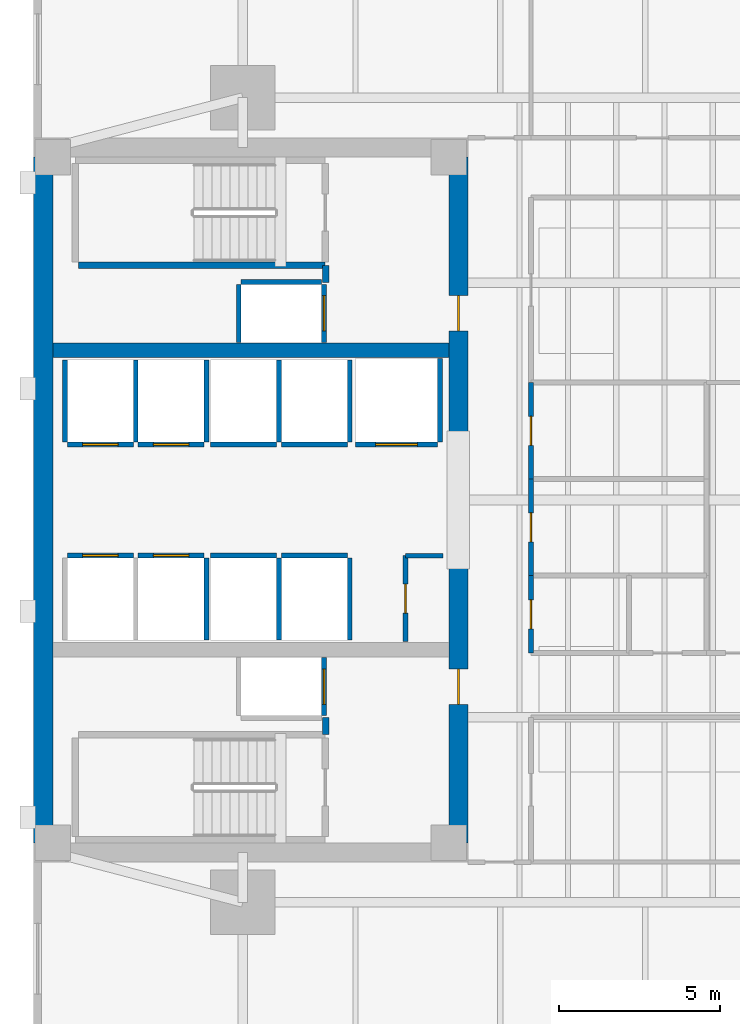
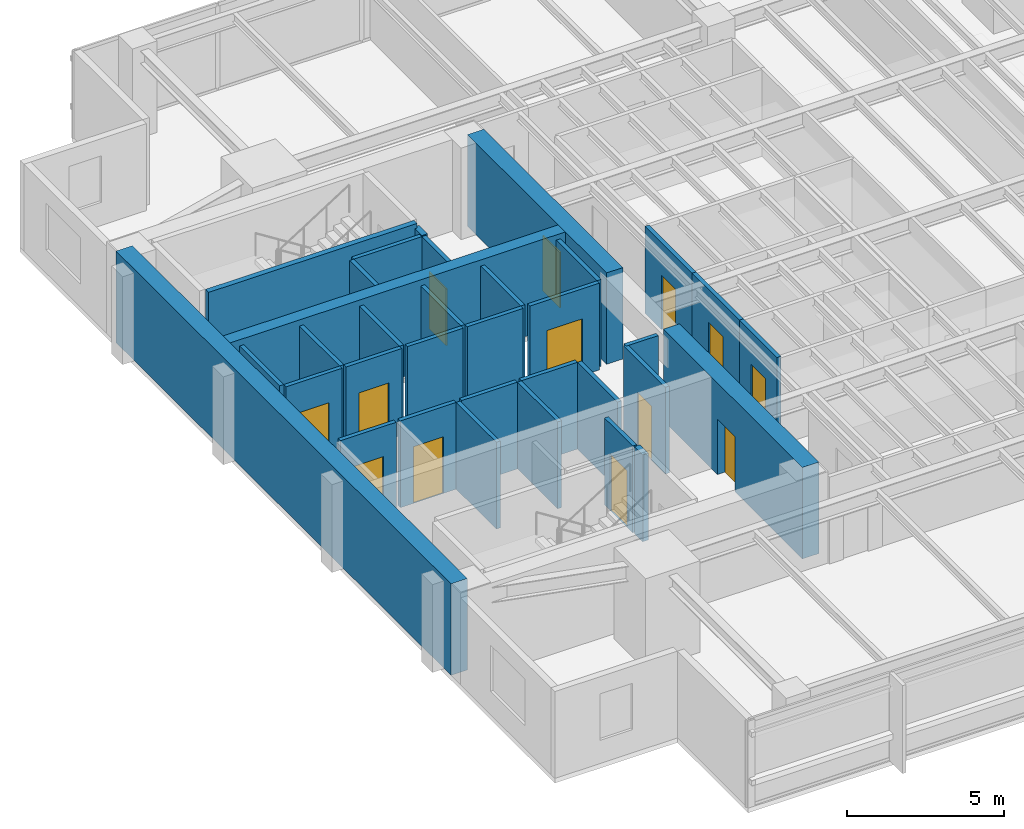
# One storey, part 8 of 14: 34 walls, 13 doors, 13 openings.
"""IFC4 building model written with IfcOpenShell, lengths in metres."""

from ifc_helpers import new_model, si_unit, direction, frame, frame_2d, origin, place, context, subcontext, project, spatial, rectangle, extrude, material, layer, layer_set, type_object, element, fill, save


model = new_model("IFC4")

# Units and contexts
model_context = context("Model", 3, precision=1e-05, world=origin(), true_north=direction((0.0, 1.0)))
body_context = subcontext(model_context, "Body", "Model", "MODEL_VIEW")
ifc_project = project(units=[si_unit("LENGTHUNIT", "METRE"), si_unit("AREAUNIT", "SQUARE_METRE"), si_unit("VOLUMEUNIT", "CUBIC_METRE"), si_unit("PLANEANGLEUNIT", "RADIAN"), si_unit("MASSUNIT", "GRAM", prefix="KILO")], contexts=[model_context])

# Site, building, storey
site_placement = place(None, origin())
site = spatial("IfcSite", under=ifc_project, at=site_placement, CompositionType="ELEMENT")
building_placement = place(site_placement, origin())
building = spatial("IfcBuilding", under=site, at=building_placement, Name="Kinhvarn Gate Tower", CompositionType="ELEMENT")
storey_placement = place(building_placement, frame((0.0, 0.0, 141.300048828125)))
storey = spatial("IfcBuildingStorey", under=building, at=storey_placement, Name="L37", CompositionType="ELEMENT", Elevation=141.300048828125)

# Wall
ifc_material_1 = material(Name="Concrete C50/60", Category="concrete")
ifc_layer_1 = layer(ifc_material_1, 0.449951171875)
ifc_layer_set_1 = layer_set([ifc_layer_1], Name="Concrete C50/60")
wall_type_1 = type_object("IfcWallType", Name="WL-CORE-450", PredefinedType="SHEAR", material=ifc_layer_set_1)
wall_1_placement = place(storey_placement, frame((5.10009765625, 29.89990234375, 0.0), z_axis=(0.0, 0.0, 1.0), x_axis=(1.0, 0.0, 0.0)))
element("IfcWall", 1, at=wall_1_placement, inside=storey, type_object=wall_type_1, Name="Core North Spine Shear Wall L37 450 mm", PredefinedType="SHEAR", context=body_context, shape_type="SweptSolid", body=[
    extrude(rectangle(XDim=12.2998046875, YDim=0.449951171875, at=frame_2d((6.14990234375, 0.0))), origin(), (0.0, 0.0, 1.0), 3.550048828125),
])

# Wall, opening, door
ifc_material_2 = material(Name="Concrete C60/75", Category="concrete")
ifc_layer_2 = layer(ifc_material_2, 0.60009765625)
ifc_layer_set_2 = layer_set([ifc_layer_2], Name="Concrete C60/75")
wall_type_2 = type_object("IfcWallType", Name="WL-CORE-600", PredefinedType="SHEAR", material=ifc_layer_set_2)
wall_2_placement = place(storey_placement, frame((17.699951171875, 14.60009765625, 0.0), z_axis=(0.0, 0.0, 1.0), x_axis=(0.0, 1.0, 0.0)))
wall_2 = element("IfcWall", 2, at=wall_2_placement, inside=storey, type_object=wall_type_2, Name="Core East-South Shear Pier L37 600 mm", PredefinedType="SHEAR", context=body_context, shape_type="SweptSolid", body=[
    extrude(rectangle(XDim=8.849853515625, YDim=0.60009765625, at=frame_2d((4.4248046875, 0.0))), origin(), (0.0, 0.0, 1.0), 3.550048828125),
])
opening_1_placement = place(wall_2_placement, frame((4.300048828125, 0.0, 0.0)))
opening_1 = element("IfcOpeningElement", 3, at=opening_1_placement, cuts=wall_2, Name="Opening FD-02", PredefinedType="OPENING", context=body_context, shape_type="SweptSolid", body=[
    extrude(rectangle(XDim=1.10009765625, YDim=2.14990234375, at=frame_2d((0.550048828125, 1.074951171875))), frame((0.0, 0.31005859375, 0.0), z_axis=(0.0, -1.0, 0.0), x_axis=(1.0, 0.0, 0.0)), (0.0, 0.0, 1.0), 0.6201171875),
])
ifc_material_3 = material(Name="Anodised aluminium AW-6063", Category="aluminium")
door_type_1 = type_object("IfcDoorType", Name="DR-FD-1100", OperationType="NOTDEFINED", PredefinedType="DOOR", material=ifc_material_3)
door_1_placement = place(opening_1_placement, origin())
door_1 = element("IfcDoor", 4, at=door_1_placement, inside=storey, type_object=door_type_1, Name="Firefighting Lobby Core Door (L37)", OperationType="SINGLE_SWING_RIGHT", OverallHeight=2.14990234375, OverallWidth=1.10009765625, PredefinedType="DOOR", context=body_context, shape_type="SweptSolid", body=[
    extrude(rectangle(XDim=1.10009765625, YDim=2.14990234375, at=frame_2d((0.550048828125, 1.074951171875))), frame((0.0, 0.02490234375, 0.0), z_axis=(0.0, -1.0, 0.0), x_axis=(1.0, 0.0, 0.0)), (0.0, 0.0, 1.0), 0.050048828125),
])
fill(opening_1, door_1)

wall_3_placement = place(storey_placement, frame((17.699951171875, 27.050048828125, 0.0), z_axis=(0.0, 0.0, 1.0), x_axis=(0.0, 1.0, 0.0)))
wall_3 = element("IfcWall", 5, at=wall_3_placement, inside=storey, type_object=wall_type_2, Name="Core East-North Shear Pier L37 600 mm", PredefinedType="SHEAR", context=body_context, shape_type="SweptSolid", body=[
    extrude(rectangle(XDim=8.849853515625, YDim=0.60009765625, at=frame_2d((4.4248046875, 0.0))), origin(), (0.0, 0.0, 1.0), 3.550048828125),
])
opening_2_placement = place(wall_3_placement, frame((3.449951171875, 0.0, 0.0)))
opening_2 = element("IfcOpeningElement", 6, at=opening_2_placement, cuts=wall_3, Name="Opening FD-02", PredefinedType="OPENING", context=body_context, shape_type="SweptSolid", body=[
    extrude(rectangle(XDim=1.10009765625, YDim=2.14990234375, at=frame_2d((0.550048828125, 1.074951171875))), frame((0.0, 0.31005859375, 0.0), z_axis=(0.0, -1.0, 0.0), x_axis=(1.0, 0.0, 0.0)), (0.0, 0.0, 1.0), 0.6201171875),
])
door_2_placement = place(opening_2_placement, origin())
door_2 = element("IfcDoor", 7, at=door_2_placement, inside=storey, type_object=door_type_1, Name="Firefighting Lobby Core Door (L37)", OperationType="SINGLE_SWING_LEFT", OverallHeight=2.14990234375, OverallWidth=1.10009765625, PredefinedType="DOOR", context=body_context, shape_type="SweptSolid", body=[
    extrude(rectangle(XDim=1.10009765625, YDim=2.14990234375, at=frame_2d((0.550048828125, 1.074951171875))), frame((0.0, 0.02490234375, 0.0), z_axis=(0.0, -1.0, 0.0), x_axis=(1.0, 0.0, 0.0)), (0.0, 0.0, 1.0), 0.050048828125),
])
fill(opening_2, door_2)

# Wall
ifc_layer_3 = layer(ifc_material_2, 0.60009765625)
ifc_layer_set_3 = layer_set([ifc_layer_3], Name="Concrete C60/75")
wall_type_3 = type_object("IfcWallType", Name="WL-COREX-600", PredefinedType="SHEAR", material=ifc_layer_set_3)
wall_4_placement = place(storey_placement, frame((4.800048828125, 14.60009765625, 0.0), z_axis=(0.0, 0.0, 1.0), x_axis=(0.0, 1.0, 0.0)))
element("IfcWall", 8, at=wall_4_placement, inside=storey, type_object=wall_type_3, Name="Core West Shear Wall L37 600 mm", PredefinedType="SHEAR", context=body_context, shape_type="SweptSolid", body=[
    extrude(rectangle(XDim=21.2998046875, YDim=0.60009765625, at=frame_2d((10.64990234375, 0.0))), origin(), (0.0, 0.0, 1.0), 3.550048828125),
])

# Wall, opening, door
ifc_material_4 = material(Name="Gypsum acoustic partition board")
ifc_layer_4 = layer(ifc_material_4, 0.14990234375)
ifc_layer_set_4 = layer_set([ifc_layer_4], Name="Gypsum acoustic partition board")
wall_type_4 = type_object("IfcWallType", Name="WL-PLM-150F", PredefinedType="PLUMBINGWALL", material=ifc_layer_set_4)
wall_5_placement = place(storey_placement, frame((19.949951171875, 20.5, 0.0), z_axis=(0.0, 0.0, 1.0), x_axis=(0.0, 1.0, 0.0)))
wall_5 = element("IfcWall", 9, at=wall_5_placement, inside=storey, type_object=wall_type_4, Name="Interior Partition PLW-150F (L37)", PredefinedType="PLUMBINGWALL", context=body_context, shape_type="SweptSolid", body=[
    extrude(rectangle(XDim=2.39990234375, YDim=0.14990234375, at=frame_2d((1.199951171875, 0.0))), origin(), (0.0, 0.0, 1.0), 3.369873046875),
])
opening_3_placement = place(wall_5_placement, frame((0.75, 0.0, 0.0)))
opening_3 = element("IfcOpeningElement", 10, at=opening_3_placement, cuts=wall_5, Name="Opening FD-04", PredefinedType="OPENING", context=body_context, shape_type="SweptSolid", body=[
    extrude(rectangle(XDim=0.89990234375, YDim=2.10009765625, at=frame_2d((0.449951171875, 1.050048828125))), frame((0.0, 0.0849609375, 0.0), z_axis=(0.0, -1.0, 0.0), x_axis=(1.0, 0.0, 0.0)), (0.0, 0.0, 1.0), 0.169921875),
])
door_type_2 = type_object("IfcDoorType", Name="DR-FD-900", OperationType="NOTDEFINED", PredefinedType="DOOR", material=ifc_material_3)
door_3_placement = place(opening_3_placement, origin())
door_3 = element("IfcDoor", 11, at=door_3_placement, inside=storey, type_object=door_type_2, Name="Rated Riser & Service Closet Fire Door 900x2100 mm (L37)", OperationType="SINGLE_SWING_RIGHT", OverallHeight=2.10009765625, OverallWidth=0.89990234375, PredefinedType="DOOR", context=body_context, shape_type="SweptSolid", body=[
    extrude(rectangle(XDim=0.89990234375, YDim=2.10009765625, at=frame_2d((0.449951171875, 1.050048828125))), frame((0.0, 0.02490234375, 0.0), z_axis=(0.0, -1.0, 0.0), x_axis=(1.0, 0.0, 0.0)), (0.0, 0.0, 1.0), 0.050048828125),
])
fill(opening_3, door_3)

wall_6_placement = place(storey_placement, frame((19.949951171875, 22.89990234375, 0.0), z_axis=(0.0, 0.0, 1.0), x_axis=(0.0, 1.0, 0.0)))
wall_6 = element("IfcWall", 12, at=wall_6_placement, inside=storey, type_object=wall_type_4, Name="Interior Partition PLW-150F (L37)", PredefinedType="PLUMBINGWALL", context=body_context, shape_type="SweptSolid", body=[
    extrude(rectangle(XDim=3.0, YDim=0.14990234375, at=frame_2d((1.5, 0.0))), origin(), (0.0, 0.0, 1.0), 3.369873046875),
])
opening_4_placement = place(wall_6_placement, frame((1.050048828125, 0.0, 0.0)))
opening_4 = element("IfcOpeningElement", 13, at=opening_4_placement, cuts=wall_6, Name="Opening FD-04", PredefinedType="OPENING", context=body_context, shape_type="SweptSolid", body=[
    extrude(rectangle(XDim=0.89990234375, YDim=2.10009765625, at=frame_2d((0.449951171875, 1.050048828125))), frame((0.0, 0.0849609375, 0.0), z_axis=(0.0, -1.0, 0.0), x_axis=(1.0, 0.0, 0.0)), (0.0, 0.0, 1.0), 0.169921875),
])
door_4_placement = place(opening_4_placement, origin())
door_4 = element("IfcDoor", 14, at=door_4_placement, inside=storey, type_object=door_type_2, Name="Rated Riser & Service Closet Fire Door 900x2100 mm (L37)", OperationType="SINGLE_SWING_LEFT", OverallHeight=2.10009765625, OverallWidth=0.89990234375, PredefinedType="DOOR", context=body_context, shape_type="SweptSolid", body=[
    extrude(rectangle(XDim=0.89990234375, YDim=2.10009765625, at=frame_2d((0.449951171875, 1.050048828125))), frame((0.0, 0.02490234375, 0.0), z_axis=(0.0, -1.0, 0.0), x_axis=(1.0, 0.0, 0.0)), (0.0, 0.0, 1.0), 0.050048828125),
])
fill(opening_4, door_4)

wall_7_placement = place(storey_placement, frame((19.949951171875, 25.89990234375, 0.0), z_axis=(0.0, 0.0, 1.0), x_axis=(0.0, 1.0, 0.0)))
wall_7 = element("IfcWall", 15, at=wall_7_placement, inside=storey, type_object=wall_type_4, Name="Interior Partition PLW-150F (L37)", PredefinedType="PLUMBINGWALL", context=body_context, shape_type="SweptSolid", body=[
    extrude(rectangle(XDim=3.0, YDim=0.14990234375, at=frame_2d((1.5, 0.0))), origin(), (0.0, 0.0, 1.0), 3.369873046875),
])
opening_5_placement = place(wall_7_placement, frame((1.050048828125, 0.0, 0.0)))
opening_5 = element("IfcOpeningElement", 16, at=opening_5_placement, cuts=wall_7, Name="Opening FD-04", PredefinedType="OPENING", context=body_context, shape_type="SweptSolid", body=[
    extrude(rectangle(XDim=0.89990234375, YDim=2.10009765625, at=frame_2d((0.449951171875, 1.050048828125))), frame((0.0, 0.0849609375, 0.0), z_axis=(0.0, -1.0, 0.0), x_axis=(1.0, 0.0, 0.0)), (0.0, 0.0, 1.0), 0.169921875),
])
door_5_placement = place(opening_5_placement, origin())
door_5 = element("IfcDoor", 17, at=door_5_placement, inside=storey, type_object=door_type_2, Name="Rated Riser & Service Closet Fire Door 900x2100 mm (L37)", OperationType="SINGLE_SWING_RIGHT", OverallHeight=2.10009765625, OverallWidth=0.89990234375, PredefinedType="DOOR", context=body_context, shape_type="SweptSolid", body=[
    extrude(rectangle(XDim=0.89990234375, YDim=2.10009765625, at=frame_2d((0.449951171875, 1.050048828125))), frame((0.0, 0.02490234375, 0.0), z_axis=(0.0, -1.0, 0.0), x_axis=(1.0, 0.0, 0.0)), (0.0, 0.0, 1.0), 0.050048828125),
])
fill(opening_5, door_5)

ifc_layer_5 = layer(ifc_material_4, 0.14990234375)
ifc_layer_set_5 = layer_set([ifc_layer_5], Name="Gypsum acoustic partition board")
wall_type_5 = type_object("IfcWallType", Name="WL-PRT-150F", PredefinedType="PARTITIONING", material=ifc_layer_set_5)
wall_8_placement = place(storey_placement, frame((16.050048828125, 20.85009765625, 0.0), z_axis=(0.0, 0.0, 1.0), x_axis=(0.0, 1.0, 0.0)))
wall_8 = element("IfcWall", 18, at=wall_8_placement, inside=storey, type_object=wall_type_5, Name="Interior Partition PW-150F (L37)", PredefinedType="PARTITIONING", context=body_context, shape_type="SweptSolid", body=[
    extrude(rectangle(XDim=2.669921875, YDim=0.14990234375, at=frame_2d((1.3349609375, 0.0))), origin(), (0.0, 0.0, 1.0), 3.369873046875),
])
opening_6_placement = place(wall_8_placement, frame((0.885009765625, 0.0, 0.0)))
opening_6 = element("IfcOpeningElement", 19, at=opening_6_placement, cuts=wall_8, Name="Opening FD-04", PredefinedType="OPENING", context=body_context, shape_type="SweptSolid", body=[
    extrude(rectangle(XDim=0.89990234375, YDim=2.10009765625, at=frame_2d((0.449951171875, 1.050048828125))), frame((0.0, 0.0849609375, 0.0), z_axis=(0.0, -1.0, 0.0), x_axis=(1.0, 0.0, 0.0)), (0.0, 0.0, 1.0), 0.169921875),
])
door_6_placement = place(opening_6_placement, origin())
door_6 = element("IfcDoor", 20, at=door_6_placement, inside=storey, type_object=door_type_2, Name="Rated Riser & Service Closet Fire Door 900x2100 mm (L37)", OperationType="SINGLE_SWING_LEFT", OverallHeight=2.10009765625, OverallWidth=0.89990234375, PredefinedType="DOOR", context=body_context, shape_type="SweptSolid", body=[
    extrude(rectangle(XDim=0.89990234375, YDim=2.10009765625, at=frame_2d((0.449951171875, 1.050048828125))), frame((0.0, 0.02490234375, 0.0), z_axis=(0.0, -1.0, 0.0), x_axis=(1.0, 0.0, 0.0)), (0.0, 0.0, 1.0), 0.050048828125),
])
fill(opening_6, door_6)

# Walls
wall_9_placement = place(storey_placement, frame((16.050048828125, 23.52001953125, 0.0), z_axis=(0.0, 0.0, 1.0), x_axis=(1.0, 0.0, 0.0)))
element("IfcWall", 21, at=wall_9_placement, inside=storey, type_object=wall_type_5, Name="Interior Partition PW-150F (L37)", PredefinedType="PARTITIONING", context=body_context, shape_type="SweptSolid", body=[
    extrude(rectangle(XDim=1.169921875, YDim=0.14990234375, at=frame_2d((0.5849609375, 0.0))), origin(), (0.0, 0.0, 1.0), 3.369873046875),
])
ifc_layer_6 = layer(ifc_material_4, 0.199951171875)
ifc_layer_set_6 = layer_set([ifc_layer_6], Name="Gypsum acoustic partition board")
wall_type_6 = type_object("IfcWallType", Name="WL-PRT-200", PredefinedType="PARTITIONING", material=ifc_layer_set_6)
for number, where, z_axis, x_axis, name in (
    (22, (13.580078125, 17.9599609375, 0.0), (0.0, 0.0, 1.0), (0.0, 1.0, 0.0), "Interior Partition PW-200 (L37)"),
    (23, (13.580078125, 32.0, 0.0), (0.0, 0.0, 1.0), (0.0, 1.0, 0.0), "Interior Partition PW-200 (L37)"),
):
    element("IfcWall", number, at=place(storey_placement, frame(where, z_axis=z_axis, x_axis=x_axis)), inside=storey, type_object=wall_type_6, Name=name, PredefinedType="PARTITIONING", context=body_context, shape_type="SweptSolid", body=[
        extrude(rectangle(XDim=0.5400390625, YDim=0.199951171875, at=frame_2d((0.27001953125, 0.0))), origin(), (0.0, 0.0, 1.0), 3.369873046875),
    ])

# Wall, opening, door
ifc_layer_7 = layer(ifc_material_4, 0.14990234375)
ifc_layer_set_7 = layer_set([ifc_layer_7], Name="Gypsum acoustic partition board")
wall_type_7 = type_object("IfcWallType", Name="WL-SHF-150", PredefinedType="PARTITIONING", material=ifc_layer_set_7)
wall_10_placement = place(storey_placement, frame((5.550048828125, 23.52490234375, 0.0), z_axis=(0.0, 0.0, 1.0), x_axis=(1.0, 0.0, 0.0)))
wall_10 = element("IfcWall", 24, at=wall_10_placement, inside=storey, type_object=wall_type_7, Name="Elevator PM-05 Landing Wall (L37)", PredefinedType="PARTITIONING", context=body_context, shape_type="SweptSolid", body=[
    extrude(rectangle(XDim=2.050048828125, YDim=0.14990234375, at=frame_2d((1.02490234375, 0.0))), origin(), (0.0, 0.0, 1.0), 3.369873046875),
])
opening_7_placement = place(wall_10_placement, frame((0.47509765625, 0.0, 0.0)))
opening_7 = element("IfcOpeningElement", 25, at=opening_7_placement, cuts=wall_10, Name="Opening LD-01", PredefinedType="OPENING", context=body_context, shape_type="SweptSolid", body=[
    extrude(rectangle(XDim=1.10009765625, YDim=2.199951171875, at=frame_2d((0.550048828125, 1.10009765625))), frame((0.0, 0.0849609375, 0.0), z_axis=(0.0, -1.0, 0.0), x_axis=(1.0, 0.0, 0.0)), (0.0, 0.0, 1.0), 0.169921875),
])
door_type_3 = type_object("IfcDoorType", Name="DR-LND-PAS", OperationType="NOTDEFINED", PredefinedType="DOOR", material=ifc_material_3)
door_7_placement = place(opening_7_placement, origin())
door_7 = element("IfcDoor", 26, at=door_7_placement, inside=storey, type_object=door_type_3, Name="Elevator PM-05 Sliding Landing Door (L37)", OperationType="DOUBLE_DOOR_SLIDING", OverallHeight=2.199951171875, OverallWidth=1.10009765625, PredefinedType="DOOR", context=body_context, shape_type="SweptSolid", body=[
    extrude(rectangle(XDim=1.10009765625, YDim=2.199951171875, at=frame_2d((0.550048828125, 1.10009765625))), frame((0.0, 0.02490234375, 0.0), z_axis=(0.0, -1.0, 0.0), x_axis=(1.0, 0.0, 0.0)), (0.0, 0.0, 1.0), 0.050048828125),
])
fill(opening_7, door_7)

wall_11_placement = place(storey_placement, frame((7.75, 23.52490234375, 0.0), z_axis=(0.0, 0.0, 1.0), x_axis=(1.0, 0.0, 0.0)))
wall_11 = element("IfcWall", 27, at=wall_11_placement, inside=storey, type_object=wall_type_7, Name="Elevator PM-06 Landing Wall (L37)", PredefinedType="PARTITIONING", context=body_context, shape_type="SweptSolid", body=[
    extrude(rectangle(XDim=2.050048828125, YDim=0.14990234375, at=frame_2d((1.02490234375, 0.0))), origin(), (0.0, 0.0, 1.0), 3.369873046875),
])
opening_8_placement = place(wall_11_placement, frame((0.47509765625, 0.0, 0.0)))
opening_8 = element("IfcOpeningElement", 28, at=opening_8_placement, cuts=wall_11, Name="Opening LD-01", PredefinedType="OPENING", context=body_context, shape_type="SweptSolid", body=[
    extrude(rectangle(XDim=1.10009765625, YDim=2.199951171875, at=frame_2d((0.550048828125, 1.10009765625))), frame((0.0, 0.0849609375, 0.0), z_axis=(0.0, -1.0, 0.0), x_axis=(1.0, 0.0, 0.0)), (0.0, 0.0, 1.0), 0.169921875),
])
door_8_placement = place(opening_8_placement, origin())
door_8 = element("IfcDoor", 29, at=door_8_placement, inside=storey, type_object=door_type_3, Name="Elevator PM-06 Sliding Landing Door (L37)", OperationType="DOUBLE_DOOR_SLIDING", OverallHeight=2.199951171875, OverallWidth=1.10009765625, PredefinedType="DOOR", context=body_context, shape_type="SweptSolid", body=[
    extrude(rectangle(XDim=1.10009765625, YDim=2.199951171875, at=frame_2d((0.550048828125, 1.10009765625))), frame((0.0, 0.02490234375, 0.0), z_axis=(0.0, -1.0, 0.0), x_axis=(1.0, 0.0, 0.0)), (0.0, 0.0, 1.0), 0.050048828125),
])
fill(opening_8, door_8)

# Wall
wall_12_placement = place(storey_placement, frame((9.875, 20.89990234375, 0.0), z_axis=(0.0, 0.0, 1.0), x_axis=(0.0, 1.0, 0.0)))
element("IfcWall", 30, at=wall_12_placement, inside=storey, type_object=wall_type_7, Name="Elevator PM-06 Hoistway Wall E (L37)", PredefinedType="PARTITIONING", context=body_context, shape_type="SweptSolid", body=[
    extrude(rectangle(XDim=2.550048828125, YDim=0.14990234375, at=frame_2d((1.27490234375, 0.0))), origin(), (0.0, 0.0, 1.0), 3.369873046875),
])

# Wall, opening, door
wall_13_placement = place(storey_placement, frame((5.550048828125, 26.97509765625, 0.0), z_axis=(0.0, 0.0, 1.0), x_axis=(1.0, 0.0, 0.0)))
wall_13 = element("IfcWall", 31, at=wall_13_placement, inside=storey, type_object=wall_type_7, Name="Elevator PM-07 Landing Wall (L37)", PredefinedType="PARTITIONING", context=body_context, shape_type="SweptSolid", body=[
    extrude(rectangle(XDim=2.050048828125, YDim=0.14990234375, at=frame_2d((1.02490234375, 0.0))), origin(), (0.0, 0.0, 1.0), 3.369873046875),
])
opening_9_placement = place(wall_13_placement, frame((0.47509765625, 0.0, 0.0)))
opening_9 = element("IfcOpeningElement", 32, at=opening_9_placement, cuts=wall_13, Name="Opening LD-01", PredefinedType="OPENING", context=body_context, shape_type="SweptSolid", body=[
    extrude(rectangle(XDim=1.10009765625, YDim=2.199951171875, at=frame_2d((0.550048828125, 1.10009765625))), frame((0.0, 0.0849609375, 0.0), z_axis=(0.0, -1.0, 0.0), x_axis=(1.0, 0.0, 0.0)), (0.0, 0.0, 1.0), 0.169921875),
])
door_9_placement = place(opening_9_placement, origin())
door_9 = element("IfcDoor", 33, at=door_9_placement, inside=storey, type_object=door_type_3, Name="Elevator PM-07 Sliding Landing Door (L37)", OperationType="DOUBLE_DOOR_SLIDING", OverallHeight=2.199951171875, OverallWidth=1.10009765625, PredefinedType="DOOR", context=body_context, shape_type="SweptSolid", body=[
    extrude(rectangle(XDim=1.10009765625, YDim=2.199951171875, at=frame_2d((0.550048828125, 1.10009765625))), frame((0.0, 0.02490234375, 0.0), z_axis=(0.0, -1.0, 0.0), x_axis=(1.0, 0.0, 0.0)), (0.0, 0.0, 1.0), 0.050048828125),
])
fill(opening_9, door_9)

# Walls
for number, where, z_axis, x_axis, name in (
    (34, (5.47509765625, 27.050048828125, 0.0), (0.0, 0.0, 1.0), (0.0, 1.0, 0.0), "Elevator PM-07 Hoistway Wall W (L37)"),
    (35, (7.675048828125, 27.050048828125, 0.0), (0.0, 0.0, 1.0), (0.0, 1.0, 0.0), "Elevator PM-07 Hoistway Wall E (L37)"),
):
    element("IfcWall", number, at=place(storey_placement, frame(where, z_axis=z_axis, x_axis=x_axis)), inside=storey, type_object=wall_type_7, Name=name, PredefinedType="PARTITIONING", context=body_context, shape_type="SweptSolid", body=[
        extrude(rectangle(XDim=2.550048828125, YDim=0.14990234375, at=frame_2d((1.27490234375, 0.0))), origin(), (0.0, 0.0, 1.0), 3.369873046875),
    ])

# Wall, opening, door
wall_14_placement = place(storey_placement, frame((7.75, 26.97509765625, 0.0), z_axis=(0.0, 0.0, 1.0), x_axis=(1.0, 0.0, 0.0)))
wall_14 = element("IfcWall", 36, at=wall_14_placement, inside=storey, type_object=wall_type_7, Name="Elevator PM-08 Landing Wall (L37)", PredefinedType="PARTITIONING", context=body_context, shape_type="SweptSolid", body=[
    extrude(rectangle(XDim=2.050048828125, YDim=0.14990234375, at=frame_2d((1.02490234375, 0.0))), origin(), (0.0, 0.0, 1.0), 3.369873046875),
])
opening_10_placement = place(wall_14_placement, frame((0.47509765625, 0.0, 0.0)))
opening_10 = element("IfcOpeningElement", 37, at=opening_10_placement, cuts=wall_14, Name="Opening LD-01", PredefinedType="OPENING", context=body_context, shape_type="SweptSolid", body=[
    extrude(rectangle(XDim=1.10009765625, YDim=2.199951171875, at=frame_2d((0.550048828125, 1.10009765625))), frame((0.0, 0.0849609375, 0.0), z_axis=(0.0, -1.0, 0.0), x_axis=(1.0, 0.0, 0.0)), (0.0, 0.0, 1.0), 0.169921875),
])
door_10_placement = place(opening_10_placement, origin())
door_10 = element("IfcDoor", 38, at=door_10_placement, inside=storey, type_object=door_type_3, Name="Elevator PM-08 Sliding Landing Door (L37)", OperationType="DOUBLE_DOOR_SLIDING", OverallHeight=2.199951171875, OverallWidth=1.10009765625, PredefinedType="DOOR", context=body_context, shape_type="SweptSolid", body=[
    extrude(rectangle(XDim=1.10009765625, YDim=2.199951171875, at=frame_2d((0.550048828125, 1.10009765625))), frame((0.0, 0.02490234375, 0.0), z_axis=(0.0, -1.0, 0.0), x_axis=(1.0, 0.0, 0.0)), (0.0, 0.0, 1.0), 0.050048828125),
])
fill(opening_10, door_10)

# Walls
wall_15_placement = place(storey_placement, frame((9.875, 27.050048828125, 0.0), z_axis=(0.0, 0.0, 1.0), x_axis=(0.0, 1.0, 0.0)))
element("IfcWall", 39, at=wall_15_placement, inside=storey, type_object=wall_type_7, Name="Elevator PM-08 Hoistway Wall E (L37)", PredefinedType="PARTITIONING", context=body_context, shape_type="SweptSolid", body=[
    extrude(rectangle(XDim=2.550048828125, YDim=0.14990234375, at=frame_2d((1.27490234375, 0.0))), origin(), (0.0, 0.0, 1.0), 3.369873046875),
])
wall_16_placement = place(storey_placement, frame((10.0, 23.52490234375, 0.0), z_axis=(0.0, 0.0, 1.0), x_axis=(1.0, 0.0, 0.0)))
element("IfcWall", 40, at=wall_16_placement, inside=storey, type_object=wall_type_7, Name="Elevator PH-09 Landing Wall (L37)", PredefinedType="PARTITIONING", context=body_context, shape_type="SweptSolid", body=[
    extrude(rectangle(XDim=2.050048828125, YDim=0.14990234375, at=frame_2d((1.02490234375, 0.0))), origin(), (0.0, 0.0, 1.0), 3.369873046875),
])
wall_17_placement = place(storey_placement, frame((12.125, 20.89990234375, 0.0), z_axis=(0.0, 0.0, 1.0), x_axis=(0.0, 1.0, 0.0)))
element("IfcWall", 41, at=wall_17_placement, inside=storey, type_object=wall_type_7, Name="Elevator PH-09 Hoistway Wall E (L37)", PredefinedType="PARTITIONING", context=body_context, shape_type="SweptSolid", body=[
    extrude(rectangle(XDim=2.550048828125, YDim=0.14990234375, at=frame_2d((1.27490234375, 0.0))), origin(), (0.0, 0.0, 1.0), 3.369873046875),
])
wall_18_placement = place(storey_placement, frame((12.199951171875, 23.52490234375, 0.0), z_axis=(0.0, 0.0, 1.0), x_axis=(1.0, 0.0, 0.0)))
element("IfcWall", 42, at=wall_18_placement, inside=storey, type_object=wall_type_7, Name="Elevator PH-10 Landing Wall (L37)", PredefinedType="PARTITIONING", context=body_context, shape_type="SweptSolid", body=[
    extrude(rectangle(XDim=2.050048828125, YDim=0.14990234375, at=frame_2d((1.02490234375, 0.0))), origin(), (0.0, 0.0, 1.0), 3.369873046875),
])
wall_19_placement = place(storey_placement, frame((14.324951171875, 20.89990234375, 0.0), z_axis=(0.0, 0.0, 1.0), x_axis=(0.0, 1.0, 0.0)))
element("IfcWall", 43, at=wall_19_placement, inside=storey, type_object=wall_type_7, Name="Elevator PH-10 Hoistway Wall E (L37)", PredefinedType="PARTITIONING", context=body_context, shape_type="SweptSolid", body=[
    extrude(rectangle(XDim=2.550048828125, YDim=0.14990234375, at=frame_2d((1.27490234375, 0.0))), origin(), (0.0, 0.0, 1.0), 3.369873046875),
])
wall_20_placement = place(storey_placement, frame((10.0, 26.97509765625, 0.0), z_axis=(0.0, 0.0, 1.0), x_axis=(1.0, 0.0, 0.0)))
element("IfcWall", 44, at=wall_20_placement, inside=storey, type_object=wall_type_7, Name="Elevator PH-11 Landing Wall (L37)", PredefinedType="PARTITIONING", context=body_context, shape_type="SweptSolid", body=[
    extrude(rectangle(XDim=2.050048828125, YDim=0.14990234375, at=frame_2d((1.02490234375, 0.0))), origin(), (0.0, 0.0, 1.0), 3.369873046875),
])
wall_21_placement = place(storey_placement, frame((12.125, 27.050048828125, 0.0), z_axis=(0.0, 0.0, 1.0), x_axis=(0.0, 1.0, 0.0)))
element("IfcWall", 45, at=wall_21_placement, inside=storey, type_object=wall_type_7, Name="Elevator PH-11 Hoistway Wall E (L37)", PredefinedType="PARTITIONING", context=body_context, shape_type="SweptSolid", body=[
    extrude(rectangle(XDim=2.550048828125, YDim=0.14990234375, at=frame_2d((1.27490234375, 0.0))), origin(), (0.0, 0.0, 1.0), 3.369873046875),
])
wall_22_placement = place(storey_placement, frame((12.199951171875, 26.97509765625, 0.0), z_axis=(0.0, 0.0, 1.0), x_axis=(1.0, 0.0, 0.0)))
element("IfcWall", 46, at=wall_22_placement, inside=storey, type_object=wall_type_7, Name="Elevator PH-12 Landing Wall (L37)", PredefinedType="PARTITIONING", context=body_context, shape_type="SweptSolid", body=[
    extrude(rectangle(XDim=2.050048828125, YDim=0.14990234375, at=frame_2d((1.02490234375, 0.0))), origin(), (0.0, 0.0, 1.0), 3.369873046875),
])
wall_23_placement = place(storey_placement, frame((14.324951171875, 27.050048828125, 0.0), z_axis=(0.0, 0.0, 1.0), x_axis=(0.0, 1.0, 0.0)))
element("IfcWall", 47, at=wall_23_placement, inside=storey, type_object=wall_type_7, Name="Elevator PH-12 Hoistway Wall E (L37)", PredefinedType="PARTITIONING", context=body_context, shape_type="SweptSolid", body=[
    extrude(rectangle(XDim=2.550048828125, YDim=0.14990234375, at=frame_2d((1.27490234375, 0.0))), origin(), (0.0, 0.0, 1.0), 3.369873046875),
])

# Wall, opening, door
wall_24_placement = place(storey_placement, frame((14.5, 26.97509765625, 0.0), z_axis=(0.0, 0.0, 1.0), x_axis=(1.0, 0.0, 0.0)))
wall_24 = element("IfcWall", 48, at=wall_24_placement, inside=storey, type_object=wall_type_7, Name="Elevator SV-01 Landing Wall (L37)", PredefinedType="PARTITIONING", context=body_context, shape_type="SweptSolid", body=[
    extrude(rectangle(XDim=2.550048828125, YDim=0.14990234375, at=frame_2d((1.27490234375, 0.0))), origin(), (0.0, 0.0, 1.0), 3.369873046875),
])
opening_11_placement = place(wall_24_placement, frame((0.625, 0.0, 0.0)))
opening_11 = element("IfcOpeningElement", 49, at=opening_11_placement, cuts=wall_24, Name="Opening LD-02", PredefinedType="OPENING", context=body_context, shape_type="SweptSolid", body=[
    extrude(rectangle(XDim=1.300048828125, YDim=2.199951171875, at=frame_2d((0.64990234375, 1.10009765625))), frame((0.0, 0.0849609375, 0.0), z_axis=(0.0, -1.0, 0.0), x_axis=(1.0, 0.0, 0.0)), (0.0, 0.0, 1.0), 0.169921875),
])
door_type_4 = type_object("IfcDoorType", Name="DR-LND-SRV", OperationType="NOTDEFINED", PredefinedType="DOOR", material=ifc_material_3)
door_11_placement = place(opening_11_placement, origin())
door_11 = element("IfcDoor", 50, at=door_11_placement, inside=storey, type_object=door_type_4, Name="Elevator SV-01 Sliding Landing Door (L37)", OperationType="DOUBLE_DOOR_SLIDING", OverallHeight=2.199951171875, OverallWidth=1.300048828125, PredefinedType="DOOR", context=body_context, shape_type="SweptSolid", body=[
    extrude(rectangle(XDim=1.300048828125, YDim=2.199951171875, at=frame_2d((0.64990234375, 1.10009765625))), frame((0.0, 0.02490234375, 0.0), z_axis=(0.0, -1.0, 0.0), x_axis=(1.0, 0.0, 0.0)), (0.0, 0.0, 1.0), 0.050048828125),
])
fill(opening_11, door_11)

# Wall
wall_25_placement = place(storey_placement, frame((17.125, 27.050048828125, 0.0), z_axis=(0.0, 0.0, 1.0), x_axis=(0.0, 1.0, 0.0)))
element("IfcWall", 51, at=wall_25_placement, inside=storey, type_object=wall_type_7, Name="Elevator SV-01 Hoistway Wall E (L37)", PredefinedType="PARTITIONING", context=body_context, shape_type="SweptSolid", body=[
    extrude(rectangle(XDim=2.599853515625, YDim=0.14990234375, at=frame_2d((1.2998046875, 0.0))), origin(), (0.0, 0.0, 1.0), 3.369873046875),
])

# Wall, opening, door
wall_26_placement = place(storey_placement, frame((13.52490234375, 18.550048828125, 0.0), z_axis=(0.0, 0.0, 1.0), x_axis=(0.0, 1.0, 0.0)))
wall_26 = element("IfcWall", 52, at=wall_26_placement, inside=storey, type_object=wall_type_7, Name="Elevator FF1 Landing Wall (L37)", PredefinedType="PARTITIONING", context=body_context, shape_type="SweptSolid", body=[
    extrude(rectangle(XDim=1.800048828125, YDim=0.14990234375, at=frame_2d((0.89990234375, 0.0))), origin(), (0.0, 0.0, 1.0), 3.369873046875),
])
opening_12_placement = place(wall_26_placement, frame((0.35009765625, 0.0, 0.0)))
opening_12 = element("IfcOpeningElement", 53, at=opening_12_placement, cuts=wall_26, Name="Opening LD-03", PredefinedType="OPENING", context=body_context, shape_type="SweptSolid", body=[
    extrude(rectangle(XDim=1.10009765625, YDim=2.199951171875, at=frame_2d((0.550048828125, 1.10009765625))), frame((0.0, 0.0849609375, 0.0), z_axis=(0.0, -1.0, 0.0), x_axis=(1.0, 0.0, 0.0)), (0.0, 0.0, 1.0), 0.169921875),
])
door_type_5 = type_object("IfcDoorType", Name="DR-LND-FF", OperationType="NOTDEFINED", PredefinedType="DOOR", material=ifc_material_3)
door_12_placement = place(opening_12_placement, origin())
door_12 = element("IfcDoor", 54, at=door_12_placement, inside=storey, type_object=door_type_5, Name="Elevator FF1 Sliding Landing Door (L37)", OperationType="DOUBLE_DOOR_SLIDING", OverallHeight=2.199951171875, OverallWidth=1.10009765625, PredefinedType="DOOR", context=body_context, shape_type="SweptSolid", body=[
    extrude(rectangle(XDim=1.10009765625, YDim=2.199951171875, at=frame_2d((0.550048828125, 1.10009765625))), frame((0.0, 0.02490234375, 0.0), z_axis=(0.0, -1.0, 0.0), x_axis=(1.0, 0.0, 0.0)), (0.0, 0.0, 1.0), 0.050048828125),
])
fill(opening_12, door_12)

# Walls
wall_27_placement = place(storey_placement, frame((10.949951171875, 32.02490234375, 0.0), z_axis=(0.0, 0.0, 1.0), x_axis=(1.0, 0.0, 0.0)))
element("IfcWall", 55, at=wall_27_placement, inside=storey, type_object=wall_type_7, Name="Elevator FF2 Hoistway Wall N (L37)", PredefinedType="PARTITIONING", context=body_context, shape_type="SweptSolid", body=[
    extrude(rectangle(XDim=2.5, YDim=0.14990234375, at=frame_2d((1.25, 0.0))), origin(), (0.0, 0.0, 1.0), 3.369873046875),
])
wall_28_placement = place(storey_placement, frame((10.875, 30.14990234375, 0.0), z_axis=(0.0, 0.0, 1.0), x_axis=(0.0, 1.0, 0.0)))
element("IfcWall", 56, at=wall_28_placement, inside=storey, type_object=wall_type_7, Name="Elevator FF2 Hoistway Wall W (L37)", PredefinedType="PARTITIONING", context=body_context, shape_type="SweptSolid", body=[
    extrude(rectangle(XDim=1.800048828125, YDim=0.14990234375, at=frame_2d((0.89990234375, 0.0))), origin(), (0.0, 0.0, 1.0), 3.369873046875),
])

# Wall, opening, door
wall_29_placement = place(storey_placement, frame((13.52490234375, 30.14990234375, 0.0), z_axis=(0.0, 0.0, 1.0), x_axis=(0.0, 1.0, 0.0)))
wall_29 = element("IfcWall", 57, at=wall_29_placement, inside=storey, type_object=wall_type_7, Name="Elevator FF2 Landing Wall (L37)", PredefinedType="PARTITIONING", context=body_context, shape_type="SweptSolid", body=[
    extrude(rectangle(XDim=1.800048828125, YDim=0.14990234375, at=frame_2d((0.89990234375, 0.0))), origin(), (0.0, 0.0, 1.0), 3.369873046875),
])
opening_13_placement = place(wall_29_placement, frame((0.35009765625, 0.0, 0.0)))
opening_13 = element("IfcOpeningElement", 58, at=opening_13_placement, cuts=wall_29, Name="Opening LD-03", PredefinedType="OPENING", context=body_context, shape_type="SweptSolid", body=[
    extrude(rectangle(XDim=1.10009765625, YDim=2.199951171875, at=frame_2d((0.550048828125, 1.10009765625))), frame((0.0, 0.0849609375, 0.0), z_axis=(0.0, -1.0, 0.0), x_axis=(1.0, 0.0, 0.0)), (0.0, 0.0, 1.0), 0.169921875),
])
door_13_placement = place(opening_13_placement, origin())
door_13 = element("IfcDoor", 59, at=door_13_placement, inside=storey, type_object=door_type_5, Name="Elevator FF2 Sliding Landing Door (L37)", OperationType="DOUBLE_DOOR_SLIDING", OverallHeight=2.199951171875, OverallWidth=1.10009765625, PredefinedType="DOOR", context=body_context, shape_type="SweptSolid", body=[
    extrude(rectangle(XDim=1.10009765625, YDim=2.199951171875, at=frame_2d((0.550048828125, 1.10009765625))), frame((0.0, 0.02490234375, 0.0), z_axis=(0.0, -1.0, 0.0), x_axis=(1.0, 0.0, 0.0)), (0.0, 0.0, 1.0), 0.050048828125),
])
fill(opening_13, door_13)

# Wall
ifc_material_5 = material(Name="Concrete C40/50", Category="concrete")
ifc_layer_8 = layer(ifc_material_5, 0.199951171875)
ifc_layer_set_8 = layer_set([ifc_layer_8], Name="Concrete C40/50")
wall_type_8 = type_object("IfcWallType", Name="WL-SHF-200", PredefinedType="SOLIDWALL", material=ifc_layer_set_8)
wall_30_placement = place(storey_placement, frame((5.89990234375, 32.5400390625, 0.0), z_axis=(0.0, 0.0, 1.0), x_axis=(1.0, 0.0, 0.0)))
element("IfcWall", 60, at=wall_30_placement, inside=storey, type_object=wall_type_8, Name="Stair ST2 South Shaft Wall (L37)", PredefinedType="SOLIDWALL", context=body_context, shape_type="SweptSolid", body=[
    extrude(rectangle(XDim=7.66015625, YDim=0.199951171875, at=frame_2d((3.830078125, 0.0))), origin(), (0.0, 0.0, 1.0), 3.550048828125),
])

save(model, "model.ifc")
